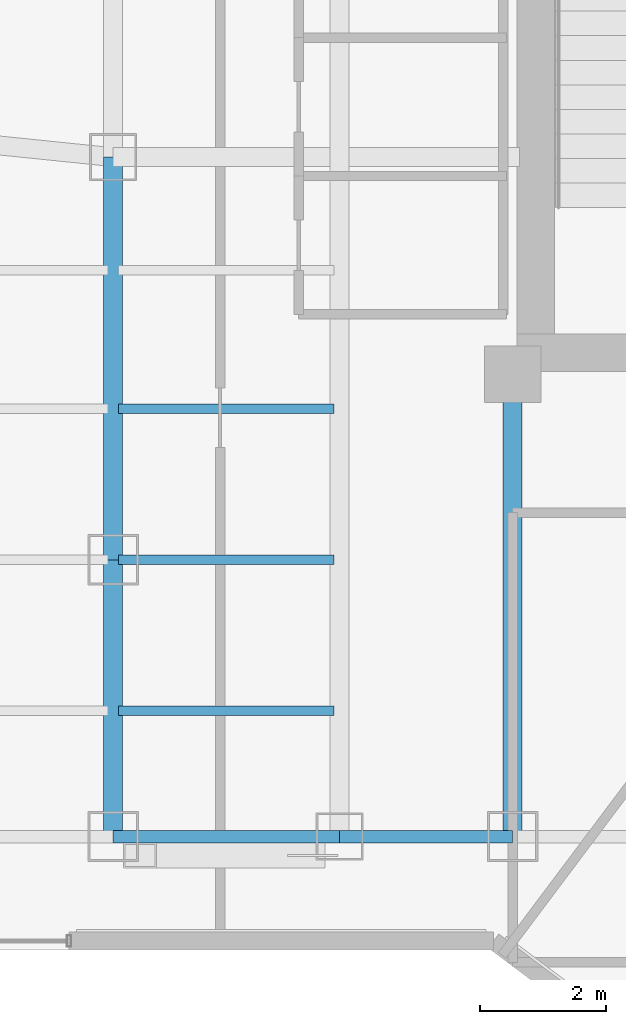
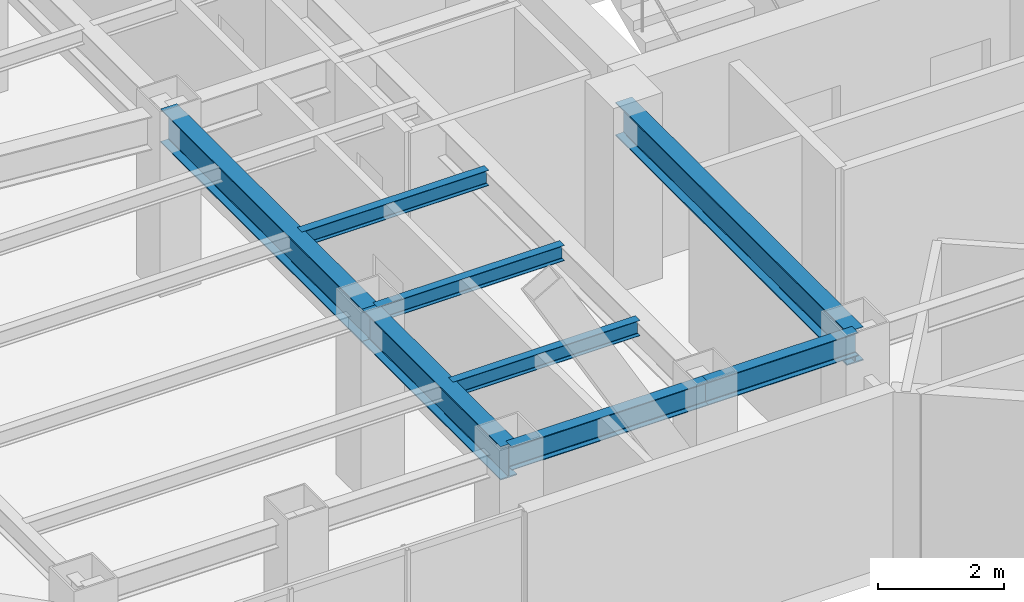
# One storey, part 5 of 28: 8 beams.
"""IFC4 building model written with IfcOpenShell, lengths in metres."""

from ifc_helpers import new_model, si_unit, direction, frame, origin, origin_2d, place, context, subcontext, project, spatial, i_section, extrude, material, material_profile, profile_set, type_object, element, save


model = new_model("IFC4")

# Units and contexts
model_context = context("Model", 3, precision=1e-05, world=origin(), true_north=direction((0.0, 1.0)))
body_context = subcontext(model_context, "Body", "Model", "MODEL_VIEW")
ifc_project = project(units=[si_unit("LENGTHUNIT", "METRE"), si_unit("AREAUNIT", "SQUARE_METRE"), si_unit("VOLUMEUNIT", "CUBIC_METRE"), si_unit("PLANEANGLEUNIT", "RADIAN"), si_unit("MASSUNIT", "GRAM", prefix="KILO")], contexts=[model_context])

# Site, building, storey
site_placement = place(None, origin())
site = spatial("IfcSite", under=ifc_project, at=site_placement, CompositionType="ELEMENT")
building_placement = place(site_placement, origin())
building = spatial("IfcBuilding", under=site, at=building_placement, Name="Hatsunagi Terrace Concourse", CompositionType="ELEMENT")
storey_placement = place(building_placement, frame((0.0, 0.0, 170.85009765625)))
storey = spatial("IfcBuildingStorey", under=building, at=storey_placement, Name="L45", CompositionType="ELEMENT", Elevation=170.85009765625)

# Beams
ifc_material_1 = material(Name="Steel SN490B", Category="steel")
ifc_material_profile_1 = material_profile(ifc_material_1, i_section(OverallWidth=0.14990234375, OverallDepth=0.300048828125, WebThickness=0.006591796875, FlangeThickness=0.009033203125, FilletRadius=0.010986328125, at=origin_2d()), Name="H-300x150x6.5x9")
ifc_profile_set_1 = profile_set([ifc_material_profile_1], Name="Steel SN490B")
beam_type_1 = type_object("IfcBeamType", Name="OfficeJoist_H_300x150", PredefinedType="JOIST", material=ifc_profile_set_1)
for number, where, z_axis, x_axis, name in (
    (1, (19.284912109375, 27.199951171875, 3.199951171875), (1.0, 0.0, 0.0), (0.0, 1.0, 0.0), "Beam J-03 J-L45-W-19-272"),
    (2, (19.284912109375, 29.60009765625, 3.199951171875), (1.0, 0.0, 0.0), (0.0, 1.0, 0.0), "Beam J-03 J-L45-W-19-296"),
    (3, (19.284912109375, 32.0, 3.199951171875), (1.0, 0.0, 0.0), (0.0, 1.0, 0.0), "Beam J-03 J-L45-W-19-320"),
):
    element("IfcBeam", number, at=place(storey_placement, frame(where, z_axis=z_axis, x_axis=x_axis)), inside=storey, type_object=beam_type_1, Name=name, PredefinedType="JOIST", context=body_context, shape_type="SweptSolid", body=[
        extrude(i_section(OverallWidth=0.14990234375, OverallDepth=0.300048828125, WebThickness=0.006591796875, FlangeThickness=0.009033203125, FilletRadius=0.010986328125, at=origin_2d()), origin(), (0.0, 0.0, 1.0), 3.43017578125),
    ])
ifc_material_2 = material(Name="Steel SN490B", Category="steel")
ifc_material_profile_2 = material_profile(ifc_material_2, i_section(OverallWidth=0.300048828125, OverallDepth=0.64990234375, WebThickness=0.012939453125, FlangeThickness=0.02197265625, FilletRadius=0.01806640625, at=origin_2d()), Name="H-650x300x13x22")
ifc_profile_set_2 = profile_set([ifc_material_profile_2], Name="Steel SN490B")
beam_type_2 = type_object("IfcBeamType", Name="OfficeLowGirder_H_650x300", PredefinedType="BEAM", material=ifc_profile_set_2)
beam_1_placement = place(storey_placement, frame((25.550048828125, 25.199951171875, 3.02490234375), z_axis=(0.0, 1.0, 0.0), x_axis=(-1.0, 0.0, 0.0)))
element("IfcBeam", 4, at=beam_1_placement, inside=storey, type_object=beam_type_2, Name="Beam G-05 BM-L45-K1CA", PredefinedType="BEAM", context=body_context, shape_type="SweptSolid", body=[
    extrude(i_section(OverallWidth=0.300048828125, OverallDepth=0.64990234375, WebThickness=0.012939453125, FlangeThickness=0.02197265625, FilletRadius=0.01806640625, at=origin_2d()), origin(), (0.0, 0.0, 1.0), 7.35009765625),
])
beam_2_placement = place(storey_placement, frame((19.199951171875, 25.199951171875, 3.02490234375), z_axis=(0.0, 1.0, 0.0), x_axis=(-1.0, 0.0, 0.0)))
element("IfcBeam", 5, at=beam_2_placement, inside=storey, type_object=beam_type_2, Name="Beam G-05 BM-L45-NS-19-25", PredefinedType="BEAM", context=body_context, shape_type="SweptSolid", body=[
    extrude(i_section(OverallWidth=0.300048828125, OverallDepth=0.64990234375, WebThickness=0.012939453125, FlangeThickness=0.02197265625, FilletRadius=0.01806640625, at=origin_2d()), origin(), (0.0, 0.0, 1.0), 4.400146484375),
])
beam_3_placement = place(storey_placement, frame((19.199951171875, 29.60009765625, 3.02490234375), z_axis=(0.0, 1.0, 0.0), x_axis=(-1.0, 0.0, 0.0)))
element("IfcBeam", 6, at=beam_3_placement, inside=storey, type_object=beam_type_2, Name="Beam G-05 BM-L45-NS-19-29", PredefinedType="BEAM", context=body_context, shape_type="SweptSolid", body=[
    extrude(i_section(OverallWidth=0.300048828125, OverallDepth=0.64990234375, WebThickness=0.012939453125, FlangeThickness=0.02197265625, FilletRadius=0.01806640625, at=origin_2d()), origin(), (0.0, 0.0, 1.0), 6.39990234375),
])
ifc_material_3 = material(Name="Steel SN490B", Category="steel")
ifc_material_profile_3 = material_profile(ifc_material_3, i_section(OverallWidth=0.199951171875, OverallDepth=0.449951171875, WebThickness=0.009033203125, FlangeThickness=0.013916015625, FilletRadius=0.01611328125, at=origin_2d()), Name="H-450x200x9x14")
ifc_profile_set_3 = profile_set([ifc_material_profile_3], Name="Steel SN490B")
beam_type_3 = type_object("IfcBeamType", Name="PerimeterSpandrel_H_450x200", PredefinedType="SPANDREL", material=ifc_profile_set_3)
beam_4_placement = place(storey_placement, frame((19.199951171875, 25.199951171875, 3.125), z_axis=(1.0, 0.0, 0.0), x_axis=(0.0, 1.0, 0.0)))
element("IfcBeam", 7, at=beam_4_placement, inside=storey, type_object=beam_type_3, Name="Beam SP-02 BM-L45-WS-19", PredefinedType="SPANDREL", context=body_context, shape_type="SweptSolid", body=[
    extrude(i_section(OverallWidth=0.199951171875, OverallDepth=0.449951171875, WebThickness=0.009033203125, FlangeThickness=0.013916015625, FilletRadius=0.01611328125, at=origin_2d()), origin(), (0.0, 0.0, 1.0), 3.60009765625),
])
beam_5_placement = place(storey_placement, frame((22.800048828125, 25.199951171875, 3.125), z_axis=(1.0, 0.0, 0.0), x_axis=(0.0, 1.0, 0.0)))
element("IfcBeam", 8, at=beam_5_placement, inside=storey, type_object=beam_type_3, Name="Beam SP-02 BM-L45-WS-22", PredefinedType="SPANDREL", context=body_context, shape_type="SweptSolid", body=[
    extrude(i_section(OverallWidth=0.199951171875, OverallDepth=0.449951171875, WebThickness=0.009033203125, FlangeThickness=0.013916015625, FilletRadius=0.01611328125, at=origin_2d()), origin(), (0.0, 0.0, 1.0), 2.75),
])

save(model, "model.ifc")
